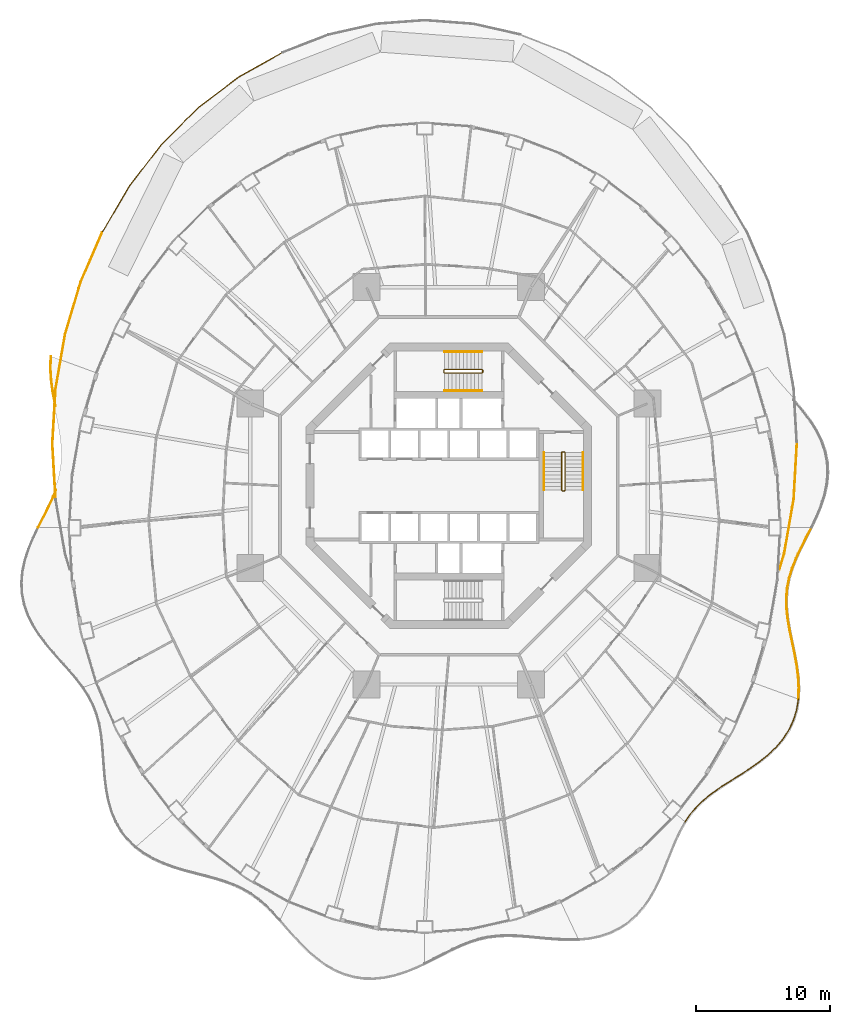
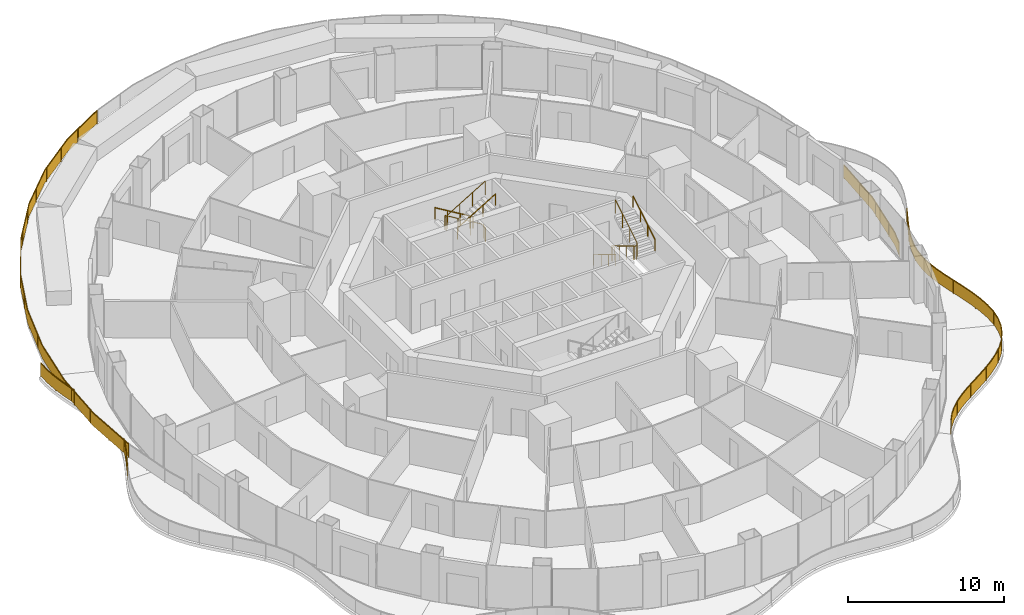
# One storey, part 19 of 20: 13 railings.
"""IFC4 building model written with IfcOpenShell, lengths in metres."""

from ifc_helpers import new_model, si_unit, direction, frame, origin, origin_2d, place, context, subcontext, project, spatial, polyline, rectangle, circle, outline, extrude, material, type_object, element, save


model = new_model("IFC4")

# Units and contexts
model_context = context("Model", 3, precision=1e-05, world=origin(), true_north=direction((0.0, 1.0)))
body_context = subcontext(model_context, "Body", "Model", "MODEL_VIEW")
ifc_project = project(units=[si_unit("LENGTHUNIT", "METRE"), si_unit("AREAUNIT", "SQUARE_METRE"), si_unit("VOLUMEUNIT", "CUBIC_METRE"), si_unit("PLANEANGLEUNIT", "RADIAN"), si_unit("MASSUNIT", "GRAM", prefix="KILO")], contexts=[model_context])

# Site, building, storey
site_placement = place(None, origin())
site = spatial("IfcSite", under=ifc_project, at=site_placement, CompositionType="ELEMENT")
building_placement = place(site_placement, origin())
building = spatial("IfcBuilding", under=site, at=building_placement, Name="Nagisa Residences", CompositionType="ELEMENT")
storey_placement = place(building_placement, frame((0.0, 0.0, 119.60009765625)))
storey = spatial("IfcBuildingStorey", under=building, at=storey_placement, Name="L29", CompositionType="ELEMENT", Elevation=119.60009765625)

# Railings
ifc_material_1 = material(Name="Stainless steel 316", Category="steel")
railing_type_1 = type_object("IfcRailingType", Name="BALCONY GUARD 1100", PredefinedType="BALUSTRADE", material=ifc_material_1)
railing_1_placement = place(storey_placement, frame((-29.604736328125, 9.634765625, 0.0)))
element("IfcRailing", 1, at=railing_1_placement, inside=storey, type_object=railing_type_1, Name="guard:L29:bal07-0", PredefinedType="BALUSTRADE", context=body_context, shape_type="SweptSolid", body=[
    extrude(outline(polyline([(-0.009765625, -0.84423828125), (0.02490234375, -0.0009765625), (-0.02490234375, 0.0009765625), (-0.06005859375, -0.8447265625), (-0.0107421875, -1.713623046875), (0.105712890625, -2.586669921875), (0.265625, -3.454345703125), (0.3154296875, -3.6904296875), (0.3642578125, -3.68017578125), (0.31494140625, -3.444580078125), (0.155029296875, -2.578857421875), (0.0390625, -1.708740234375), (-0.009765625, -0.84423828125)])), frame((0.0, 0.0, 1.050048828125)), (0.0, 0.0, 1.0), 0.050048828125),
    extrude(outline(polyline([(-0.02783203125, -0.844482421875), (0.007080078125, -0.000244140625), (-0.007080078125, 0.000244140625), (-0.0419921875, -0.844482421875), (0.007080078125, -1.7119140625), (0.12353515625, -2.583740234375), (0.283447265625, -3.450927734375), (0.3330078125, -3.686767578125), (0.3466796875, -3.683837890625), (0.297119140625, -3.447998046875), (0.13720703125, -2.581787109375), (0.021240234375, -1.71044921875), (-0.02783203125, -0.844482421875)])), frame((0.0, 0.0, 0.06005859375)), (0.0, 0.0, 1.0), 0.989990234375),
    extrude(rectangle(XDim=0.0400390625, YDim=0.0400390625, at=origin_2d()), origin(), (0.0, 0.0, 1.0), 1.050048828125),
    extrude(rectangle(XDim=0.0400390625, YDim=0.0400390625, at=origin_2d()), frame((0.033203125, -1.85400390625, 0.0)), (0.0, 0.0, 1.0), 1.050048828125),
    extrude(rectangle(XDim=0.0400390625, YDim=0.0400390625, at=origin_2d()), frame((0.33984375, -3.685302734375, 0.0)), (0.0, 0.0, 1.0), 1.050048828125),
])
railing_2_placement = place(storey_placement, frame((-29.228515625, -0.305419921875, 0.0)))
element("IfcRailing", 2, at=railing_2_placement, inside=storey, type_object=railing_type_1, Name="guard:L29:bal07-1", PredefinedType="BALUSTRADE", context=body_context, shape_type="SweptSolid", body=[
    extrude(outline(polyline([(-0.1865234375, -0.53662109375), (0.023193359375, -0.00927734375), (-0.023193359375, 0.00927734375), (-0.232421875, -0.5166015625), (-0.58203125, -1.26611328125), (-0.965576171875, -2.029052734375), (-1.358642578125, -2.80078125), (-1.314208984375, -2.82373046875), (-0.921142578125, -2.051513671875), (-0.537109375, -1.2880859375), (-0.1865234375, -0.53662109375)])), frame((0.0, 0.0, 1.050048828125)), (0.0, 0.0, 1.0), 0.050048828125),
    extrude(outline(polyline([(-0.203125, -0.529296875), (0.006591796875, -0.002685546875), (-0.006591796875, 0.002685546875), (-0.2158203125, -0.52392578125), (-0.56591796875, -1.27392578125), (-0.94970703125, -2.037109375), (-1.3427734375, -2.80908203125), (-1.330078125, -2.8154296875), (-0.93701171875, -2.04345703125), (-0.55322265625, -1.2802734375), (-0.203125, -0.529296875)])), frame((0.0, 0.0, 0.06005859375)), (0.0, 0.0, 1.0), 0.989990234375),
    extrude(rectangle(XDim=0.0400390625, YDim=0.0400390625, at=origin_2d()), origin(), (0.0, 0.0, 1.0), 1.050048828125),
    extrude(rectangle(XDim=0.0400390625, YDim=0.0400390625, at=origin_2d()), frame((-0.6328125, -1.422607421875, 0.0)), (0.0, 0.0, 1.0), 1.050048828125),
    extrude(rectangle(XDim=0.0400390625, YDim=0.0400390625, at=origin_2d()), frame((-1.33642578125, -2.812255859375, 0.0)), (0.0, 0.0, 1.0), 1.050048828125),
])
railing_3_placement = place(storey_placement, frame((17.5693359375, -25.00146484375, 0.0)))
element("IfcRailing", 3, at=railing_3_placement, inside=storey, type_object=railing_type_1, Name="guard:L29:bal14-0", PredefinedType="BALUSTRADE", context=body_context, shape_type="SweptSolid", body=[
    extrude(outline(polyline([(0.398681640625, 0.615966796875), (-0.0205078125, 0.014404296875), (0.0205078125, -0.014404296875), (0.438232421875, 0.585205078125), (0.917236328125, 1.14013671875), (1.45654296875, 1.6513671875), (2.0546875, 2.127685546875), (2.704833984375, 2.581298828125), (3.38623046875, 3.0126953125), (4.10009765625, 3.461181640625), (4.818603515625, 3.9267578125), (5.521240234375, 4.421875), (6.185546875, 4.956298828125), (6.785888671875, 5.52392578125), (7.316162109375, 6.154296875), (7.755859375, 6.834716796875), (8.095458984375, 7.5625), (8.33056640625, 8.332275390625), (8.4599609375, 9.12744140625), (8.41064453125, 9.13525390625), (8.28173828125, 8.343505859375), (8.048583984375, 7.58056640625), (7.7119140625, 6.859130859375), (7.275634765625, 6.18408203125), (6.749267578125, 5.55810546875), (6.15283203125, 4.993896484375), (5.490966796875, 4.4619140625), (4.790771484375, 3.96826171875), (4.0732421875, 3.503173828125), (3.359375, 3.05517578125), (2.677001953125, 2.622802734375), (2.02490234375, 2.167724609375), (1.423828125, 1.68896484375), (0.881103515625, 1.1748046875), (0.398681640625, 0.615966796875)])), frame((0.0, 0.0, 1.050048828125)), (0.0, 0.0, 1.0), 0.050048828125),
    extrude(outline(polyline([(0.412841796875, 0.60498046875), (-0.005859375, 0.00390625), (0.005859375, -0.00390625), (0.424072265625, 0.59619140625), (0.904296875, 1.152587890625), (1.44482421875, 1.664794921875), (2.0439453125, 2.14208984375), (2.69482421875, 2.59619140625), (3.37646484375, 3.028076171875), (4.09033203125, 3.476318359375), (4.80859375, 3.941650390625), (5.51025390625, 4.436279296875), (6.173828125, 4.9697265625), (6.772705078125, 5.5361328125), (7.301513671875, 6.1650390625), (7.739990234375, 6.843505859375), (8.07861328125, 7.569091796875), (8.31298828125, 8.336181640625), (8.442138671875, 9.130126953125), (8.428466796875, 9.132568359375), (8.29931640625, 8.339599609375), (8.0654296875, 7.573974609375), (7.727783203125, 6.850341796875), (7.290283203125, 6.17333984375), (6.762451171875, 5.5458984375), (6.16455078125, 4.98046875), (5.501953125, 4.447509765625), (4.80078125, 3.953369140625), (4.0830078125, 3.488037109375), (3.369140625, 3.039794921875), (2.68701171875, 2.60791015625), (2.03564453125, 2.1533203125), (1.435546875, 1.675537109375), (0.89404296875, 1.162353515625), (0.412841796875, 0.60498046875)])), frame((0.0, 0.0, 0.06005859375)), (0.0, 0.0, 1.0), 0.989990234375),
    extrude(rectangle(XDim=0.0400390625, YDim=0.0400390625, at=origin_2d()), origin(), (0.0, 0.0, 1.0), 1.050048828125),
    extrude(rectangle(XDim=0.0400390625, YDim=0.0400390625, at=origin_2d()), frame((1.3876953125, 1.620361328125, 0.0)), (0.0, 0.0, 1.0), 1.050048828125),
    extrude(rectangle(XDim=0.0400390625, YDim=0.0400390625, at=origin_2d()), frame((3.1201171875, 2.873779296875, 0.0)), (0.0, 0.0, 1.0), 1.050048828125),
    extrude(rectangle(XDim=0.0400390625, YDim=0.0400390625, at=origin_2d()), frame((4.921630859375, 4.02978515625, 0.0)), (0.0, 0.0, 1.0), 1.050048828125),
    extrude(rectangle(XDim=0.0400390625, YDim=0.0400390625, at=origin_2d()), frame((6.586669921875, 5.3701171875, 0.0)), (0.0, 0.0, 1.0), 1.050048828125),
    extrude(rectangle(XDim=0.0400390625, YDim=0.0400390625, at=origin_2d()), frame((7.845458984375, 7.086181640625, 0.0)), (0.0, 0.0, 1.0), 1.050048828125),
    extrude(rectangle(XDim=0.0400390625, YDim=0.0400390625, at=origin_2d()), frame((8.435302734375, 9.13134765625, 0.0)), (0.0, 0.0, 1.0), 1.050048828125),
])
railing_4_placement = place(storey_placement, frame((26.004638671875, -15.8701171875, 0.0)))
element("IfcRailing", 4, at=railing_4_placement, inside=storey, type_object=railing_type_1, Name="guard:L29:bal15-0", PredefinedType="BALUSTRADE", context=body_context, shape_type="SweptSolid", body=[
    extrude(outline(polyline([(0.010009765625, 0.84423828125), (-0.02490234375, 0.0009765625), (0.02490234375, -0.0009765625), (0.060302734375, 0.8447265625), (0.0107421875, 1.713623046875), (-0.105712890625, 2.586669921875), (-0.265625, 3.454345703125), (-0.444580078125, 4.308349609375), (-0.618896484375, 5.12939453125), (-0.7587890625, 5.941650390625), (-0.846435546875, 6.73095703125), (-0.86474609375, 7.49951171875), (-0.80419921875, 8.251220703125), (-0.662109375, 8.978759765625), (-0.438232421875, 9.716552734375), (-0.1435546875, 10.456787109375), (0.205810546875, 11.2060546875), (0.589599609375, 11.96923828125), (0.982666015625, 12.740966796875), (0.938232421875, 12.763916015625), (0.545166015625, 11.99169921875), (0.160888671875, 11.22802734375), (-0.189453125, 10.476806640625), (-0.485595703125, 9.733154296875), (-0.7109375, 8.990966796875), (-0.85400390625, 8.258056640625), (-0.9150390625, 7.5009765625), (-0.896240234375, 6.7275390625), (-0.80859375, 5.934814453125), (-0.668212890625, 5.1201171875), (-0.493408203125, 4.298095703125), (-0.31494140625, 3.444580078125), (-0.155029296875, 2.578857421875), (-0.0390625, 1.708740234375), (0.010009765625, 0.84423828125)])), frame((0.0, 0.0, 1.050048828125)), (0.0, 0.0, 1.0), 0.050048828125),
    extrude(outline(polyline([(0.028076171875, 0.844482421875), (-0.007080078125, 0.000244140625), (0.007080078125, -0.000244140625), (0.042236328125, 0.844482421875), (-0.007080078125, 1.7119140625), (-0.12353515625, 2.583740234375), (-0.283447265625, 3.450927734375), (-0.462158203125, 4.3046875), (-0.63671875, 5.1259765625), (-0.77685546875, 5.939208984375), (-0.8642578125, 6.729736328125), (-0.8828125, 7.5), (-0.822265625, 8.253662109375), (-0.6796875, 8.983154296875), (-0.455322265625, 9.72265625), (-0.16015625, 10.464111328125), (0.189697265625, 11.2138671875), (0.57373046875, 11.977294921875), (0.966796875, 12.749267578125), (0.9541015625, 12.755615234375), (0.56103515625, 11.983642578125), (0.177001953125, 11.22021484375), (-0.1728515625, 10.469482421875), (-0.468505859375, 9.72705078125), (-0.693359375, 8.986572265625), (-0.8359375, 8.255615234375), (-0.89697265625, 7.50048828125), (-0.87841796875, 6.728759765625), (-0.79052734375, 5.937255859375), (-0.650390625, 5.12353515625), (-0.475830078125, 4.3017578125), (-0.297119140625, 3.447998046875), (-0.13720703125, 2.581787109375), (-0.021240234375, 1.71044921875), (0.028076171875, 0.844482421875)])), frame((0.0, 0.0, 0.06005859375)), (0.0, 0.0, 1.0), 0.989990234375),
    extrude(rectangle(XDim=0.0400390625, YDim=0.0400390625, at=origin_2d()), origin(), (0.0, 0.0, 1.0), 1.050048828125),
    extrude(rectangle(XDim=0.0400390625, YDim=0.0400390625, at=origin_2d()), frame((-0.078369140625, 2.193603515625, 0.0)), (0.0, 0.0, 1.0), 1.050048828125),
    extrude(rectangle(XDim=0.0400390625, YDim=0.0400390625, at=origin_2d()), frame((-0.480224609375, 4.35595703125, 0.0)), (0.0, 0.0, 1.0), 1.050048828125),
    extrude(rectangle(XDim=0.0400390625, YDim=0.0400390625, at=origin_2d()), frame((-0.848388671875, 6.523193359375, 0.0)), (0.0, 0.0, 1.0), 1.050048828125),
    extrude(rectangle(XDim=0.0400390625, YDim=0.0400390625, at=origin_2d()), frame((-0.739990234375, 8.710693359375, 0.0)), (0.0, 0.0, 1.0), 1.050048828125),
    extrude(rectangle(XDim=0.0400390625, YDim=0.0400390625, at=origin_2d()), frame((-0.01904296875, 10.78271484375, 0.0)), (0.0, 0.0, 1.0), 1.050048828125),
    extrude(rectangle(XDim=0.0400390625, YDim=0.0400390625, at=origin_2d()), frame((0.96044921875, 12.75244140625, 0.0)), (0.0, 0.0, 1.0), 1.050048828125),
])
ifc_material_2 = material(Name="Stainless steel 316", Category="steel")
railing_type_2 = type_object("IfcRailingType", Name="ROOF GUARD 1100", PredefinedType="GUARDRAIL", material=ifc_material_2)
railing_5_placement = place(storey_placement, frame((-12.433349609375, 32.214111328125, 0.0)))
element("IfcRailing", 5, at=railing_5_placement, inside=storey, type_object=railing_type_2, Name="guard:L29:garden03", PredefinedType="GUARDRAIL", context=body_context, shape_type="SweptSolid", body=[
    extrude(outline(polyline([(-3.200439453125, -1.82470703125), (0.01220703125, -0.021728515625), (-0.01220703125, 0.021728515625), (-3.227783203125, -1.78271484375), (-6.242919921875, -4.0751953125), (-8.96875, -6.79541015625), (-11.359375, -9.8974609375), (-13.3525390625, -13.291748046875), (-13.3095703125, -13.317138671875), (-11.31787109375, -9.92529296875), (-8.93115234375, -6.82861328125), (-6.209716796875, -4.11279296875), (-3.200439453125, -1.82470703125)])), frame((0.0, 0.0, 1.050048828125)), (0.0, 0.0, 1.0), 0.050048828125),
    extrude(outline(polyline([(-3.210205078125, -1.8095703125), (0.00341796875, -0.006103515625), (-0.00341796875, 0.006103515625), (-3.218017578125, -1.7978515625), (-6.23095703125, -4.088623046875), (-8.955322265625, -6.807373046875), (-11.344482421875, -9.907470703125), (-13.337158203125, -13.30078125), (-13.324951171875, -13.30810546875), (-11.332763671875, -9.915283203125), (-8.944580078125, -6.816650390625), (-6.2216796875, -4.099365234375), (-3.210205078125, -1.8095703125)])), frame((0.0, 0.0, 0.06005859375)), (0.0, 0.0, 1.0), 0.989990234375),
    extrude(rectangle(XDim=0.0400390625, YDim=0.0400390625, at=origin_2d()), origin(), (0.0, 0.0, 1.0), 1.050048828125),
    extrude(rectangle(XDim=0.0400390625, YDim=0.0400390625, at=origin_2d()), frame((-2.089111328125, -1.17236328125, 0.0)), (0.0, 0.0, 1.0), 1.050048828125),
    extrude(rectangle(XDim=0.0400390625, YDim=0.0400390625, at=origin_2d()), frame((-4.09423828125, -2.472900390625, 0.0)), (0.0, 0.0, 1.0), 1.050048828125),
    extrude(rectangle(XDim=0.0400390625, YDim=0.0400390625, at=origin_2d()), frame((-6.001220703125, -3.9228515625, 0.0)), (0.0, 0.0, 1.0), 1.050048828125),
    extrude(rectangle(XDim=0.0400390625, YDim=0.0400390625, at=origin_2d()), frame((-7.721923828125, -5.586669921875, 0.0)), (0.0, 0.0, 1.0), 1.050048828125),
    extrude(rectangle(XDim=0.0400390625, YDim=0.0400390625, at=origin_2d()), frame((-9.353271484375, -7.33544921875, 0.0)), (0.0, 0.0, 1.0), 1.050048828125),
    extrude(rectangle(XDim=0.0400390625, YDim=0.0400390625, at=origin_2d()), frame((-10.815673828125, -9.23291015625, 0.0)), (0.0, 0.0, 1.0), 1.050048828125),
    extrude(rectangle(XDim=0.0400390625, YDim=0.0400390625, at=origin_2d()), frame((-12.117919921875, -11.238525390625, 0.0)), (0.0, 0.0, 1.0), 1.050048828125),
    extrude(rectangle(XDim=0.0400390625, YDim=0.0400390625, at=origin_2d()), frame((-13.3310546875, -13.304443359375, 0.0)), (0.0, 0.0, 1.0), 1.050048828125),
])
railing_6_placement = place(storey_placement, frame((-25.800537109375, 18.83837890625, 0.0)))
element("IfcRailing", 6, at=railing_6_placement, inside=storey, type_object=railing_type_2, Name="guard:L29:garden04", PredefinedType="GUARDRAIL", context=body_context, shape_type="SweptSolid", body=[
    extrude(outline(polyline([(-1.56298828125, -3.6689453125), (0.02294921875, -0.010009765625), (-0.02294921875, 0.010009765625), (-1.60986328125, -3.65185546875), (-2.775146484375, -7.55810546875), (-3.482421875, -11.604248046875), (-3.7197265625, -15.720703125), (-3.484619140625, -19.795654296875), (-3.434814453125, -19.792724609375), (-3.66943359375, -15.720703125), (-3.4326171875, -11.610107421875), (-2.726318359375, -7.56982421875), (-1.56298828125, -3.6689453125)])), frame((0.0, 0.0, 1.050048828125)), (0.0, 0.0, 1.0), 0.050048828125),
    extrude(outline(polyline([(-1.579833984375, -3.662841796875), (0.00634765625, -0.002685546875), (-0.00634765625, 0.002685546875), (-1.593017578125, -3.657958984375), (-2.757568359375, -7.562255859375), (-3.464599609375, -11.6064453125), (-3.70166015625, -15.720703125), (-3.466796875, -19.794677734375), (-3.45263671875, -19.793701171875), (-3.6875, -15.720703125), (-3.450439453125, -11.60791015625), (-2.743896484375, -7.565673828125), (-1.579833984375, -3.662841796875)])), frame((0.0, 0.0, 0.06005859375)), (0.0, 0.0, 1.0), 0.989990234375),
    extrude(rectangle(XDim=0.0400390625, YDim=0.0400390625, at=origin_2d()), origin(), (0.0, 0.0, 1.0), 1.050048828125),
    extrude(rectangle(XDim=0.0400390625, YDim=0.0400390625, at=origin_2d()), frame((-0.89990234375, -2.076416015625, 0.0)), (0.0, 0.0, 1.0), 1.050048828125),
    extrude(rectangle(XDim=0.0400390625, YDim=0.0400390625, at=origin_2d()), frame((-1.73974609375, -4.1748046875, 0.0)), (0.0, 0.0, 1.0), 1.050048828125),
    extrude(rectangle(XDim=0.0400390625, YDim=0.0400390625, at=origin_2d()), frame((-2.38671875, -6.343505859375, 0.0)), (0.0, 0.0, 1.0), 1.050048828125),
    extrude(rectangle(XDim=0.0400390625, YDim=0.0400390625, at=origin_2d()), frame((-2.921142578125, -8.538818359375, 0.0)), (0.0, 0.0, 1.0), 1.050048828125),
    extrude(rectangle(XDim=0.0400390625, YDim=0.0400390625, at=origin_2d()), frame((-3.310791015625, -10.76806640625, 0.0)), (0.0, 0.0, 1.0), 1.050048828125),
    extrude(rectangle(XDim=0.0400390625, YDim=0.0400390625, at=origin_2d()), frame((-3.538818359375, -13.01611328125, 0.0)), (0.0, 0.0, 1.0), 1.050048828125),
    extrude(rectangle(XDim=0.0400390625, YDim=0.0400390625, at=origin_2d()), frame((-3.6689453125, -15.275390625, 0.0)), (0.0, 0.0, 1.0), 1.050048828125),
    extrude(rectangle(XDim=0.0400390625, YDim=0.0400390625, at=origin_2d()), frame((-3.590087890625, -17.534912109375, 0.0)), (0.0, 0.0, 1.0), 1.050048828125),
    extrude(rectangle(XDim=0.0400390625, YDim=0.0400390625, at=origin_2d()), frame((-3.459716796875, -19.794189453125, 0.0)), (0.0, 0.0, 1.0), 1.050048828125),
])
railing_7_placement = place(storey_placement, frame((24.5947265625, -6.234130859375, 0.0)))
element("IfcRailing", 7, at=railing_7_placement, inside=storey, type_object=railing_type_2, Name="guard:L29:garden06", PredefinedType="GUARDRAIL", context=body_context, shape_type="SweptSolid", body=[
    extrude(outline(polyline([(0.332275390625, 1.200927734375), (-0.02392578125, 0.007080078125), (0.02392578125, -0.007080078125), (0.381103515625, 1.189208984375), (1.088134765625, 5.2353515625), (1.32275390625, 9.310302734375), (1.27294921875, 9.313232421875), (1.038330078125, 5.2412109375), (0.332275390625, 1.200927734375)])), frame((0.0, 0.0, 1.050048828125)), (0.0, 0.0, 1.0), 0.050048828125),
    extrude(outline(polyline([(0.349853515625, 1.19677734375), (-0.006591796875, 0.001953125), (0.006591796875, -0.001953125), (0.363525390625, 1.193359375), (1.0703125, 5.237548828125), (1.304931640625, 9.311279296875), (1.290771484375, 9.312255859375), (1.05615234375, 5.239013671875), (0.349853515625, 1.19677734375)])), frame((0.0, 0.0, 0.06005859375)), (0.0, 0.0, 1.0), 0.989990234375),
    extrude(rectangle(XDim=0.0400390625, YDim=0.0400390625, at=origin_2d()), origin(), (0.0, 0.0, 1.0), 1.050048828125),
    extrude(rectangle(XDim=0.0400390625, YDim=0.0400390625, at=origin_2d()), frame((0.5478515625, 2.289306640625, 0.0)), (0.0, 0.0, 1.0), 1.050048828125),
    extrude(rectangle(XDim=0.0400390625, YDim=0.0400390625, at=origin_2d()), frame((0.953857421875, 4.612060546875, 0.0)), (0.0, 0.0, 1.0), 1.050048828125),
    extrude(rectangle(XDim=0.0400390625, YDim=0.0400390625, at=origin_2d()), frame((1.162353515625, 6.957763671875, 0.0)), (0.0, 0.0, 1.0), 1.050048828125),
    extrude(rectangle(XDim=0.0400390625, YDim=0.0400390625, at=origin_2d()), frame((1.2978515625, 9.311767578125, 0.0)), (0.0, 0.0, 1.0), 1.050048828125),
])
ifc_material_3 = material(Name="Stainless steel", Category="steel")
railing_type_3 = type_object("IfcRailingType", Name="Stair guard 1100", PredefinedType="GUARDRAIL", material=ifc_material_3)
railing_8_placement = place(storey_placement, frame((8.599609375, 2.52490234375, 0.0)))
element("IfcRailing", 8, at=railing_8_placement, inside=storey, type_object=railing_type_3, Name="L29 ST-E stair guard 1", PredefinedType="GUARDRAIL", context=body_context, shape_type="SweptSolid", body=[
    extrude(circle(Radius=0.02392578125, at=origin_2d()), frame((0.0, 0.0, 1.076171875), z_axis=(-1.0, 0.0, 0.0), x_axis=(0.0, -1.0, 0.0)), (0.0, 0.0, 1.0), 0.14990234375),
    extrude(circle(Radius=0.02392578125, at=origin_2d()), frame((-0.14990234375, 0.0, 1.076171875), z_axis=(-0.274683208305, -0.273343290215, 0.921863645432), x_axis=(0.705375805398, -0.708833529934, 0.0)), (0.0, 0.0, 1.0), 0.18212890625),
    extrude(circle(Radius=0.02392578125, at=origin_2d()), frame((-0.199951171875, -0.0498046875, 1.244140625), z_axis=(0.0, -0.857242210791, 0.514913383045), x_axis=(1.0, 0.0, 0.0)), (0.0, 0.0, 1.0), 3.266357421875),
    extrude(circle(Radius=0.02392578125, at=origin_2d()), frame((-0.199951171875, -2.849853515625, 2.92578125), z_axis=(0.707106781187, -0.707106781187, 0.0), x_axis=(0.707106781187, 0.707106781187, 0.0)), (0.0, 0.0, 1.0), 0.07080078125),
    extrude(circle(Radius=0.02392578125, at=origin_2d()), frame((-0.14990234375, -2.89990234375, 2.92578125), z_axis=(1.0, 0.0, 0.0), x_axis=(0.0, 1.0, 0.0)), (0.0, 0.0, 1.0), 0.14990234375),
    extrude(circle(Radius=0.02392578125, at=origin_2d()), frame((0.0, -2.89990234375, 2.92578125), z_axis=(0.274243871929, 0.274243871929, 0.92172696468), x_axis=(-0.707106781187, 0.707106781187, 0.0)), (0.0, 0.0, 1.0), 0.1826171875),
    extrude(circle(Radius=0.02392578125, at=origin_2d()), frame((0.050048828125, -2.849853515625, 3.09423828125), z_axis=(0.0, 0.857242210791, 0.514913383045), x_axis=(-1.0, 0.0, 0.0)), (0.0, 0.0, 1.0), 3.266357421875),
    extrude(circle(Radius=0.02099609375, at=origin_2d()), origin(), (0.0, 0.0, 1.0), 1.052001953125),
    extrude(circle(Radius=0.02099609375, at=origin_2d()), frame((-0.14990234375, 0.0, 0.0)), (0.0, 0.0, 1.0), 1.052001953125),
    extrude(circle(Radius=0.02099609375, at=origin_2d()), frame((-0.199951171875, -0.0498046875, 0.16796875)), (0.0, 0.0, 1.0), 1.052001953125),
    extrude(circle(Radius=0.02099609375, at=origin_2d()), frame((-0.199951171875, -0.983154296875, 0.728515625)), (0.0, 0.0, 1.0), 1.052001953125),
    extrude(circle(Radius=0.02099609375, at=origin_2d()), frame((-0.199951171875, -1.91650390625, 1.289306640625)), (0.0, 0.0, 1.0), 1.052001953125),
    extrude(circle(Radius=0.02099609375, at=origin_2d()), frame((-0.199951171875, -2.849853515625, 1.849853515625)), (0.0, 0.0, 1.0), 1.052001953125),
    extrude(circle(Radius=0.02099609375, at=origin_2d()), frame((-0.14990234375, -2.89990234375, 1.849853515625)), (0.0, 0.0, 1.0), 1.052001953125),
    extrude(circle(Radius=0.02099609375, at=origin_2d()), frame((0.0, -2.89990234375, 1.849853515625)), (0.0, 0.0, 1.0), 1.052001953125),
    extrude(circle(Radius=0.02099609375, at=origin_2d()), frame((0.050048828125, -2.849853515625, 2.01806640625)), (0.0, 0.0, 1.0), 1.052001953125),
    extrude(circle(Radius=0.02099609375, at=origin_2d()), frame((0.050048828125, -1.91650390625, 2.57861328125)), (0.0, 0.0, 1.0), 1.052001953125),
    extrude(circle(Radius=0.02099609375, at=origin_2d()), frame((0.050048828125, -0.983154296875, 3.139404296875)), (0.0, 0.0, 1.0), 1.052001953125),
    extrude(circle(Radius=0.02099609375, at=origin_2d()), frame((0.050048828125, -0.0498046875, 3.699951171875)), (0.0, 0.0, 1.0), 1.052001953125),
])
railing_9_placement = place(storey_placement, frame((2.52490234375, 8.44970703125, 0.0)))
element("IfcRailing", 9, at=railing_9_placement, inside=storey, type_object=railing_type_3, Name="L29 ST-N stair guard 1", PredefinedType="GUARDRAIL", context=body_context, shape_type="SweptSolid", body=[
    extrude(circle(Radius=0.02392578125, at=origin_2d()), frame((0.0, 0.0, 1.076171875), z_axis=(0.0, 1.0, 0.0), x_axis=(-1.0, 0.0, 0.0)), (0.0, 0.0, 1.0), 0.14990234375),
    extrude(circle(Radius=0.02392578125, at=origin_2d()), frame((0.0, 0.14990234375, 1.076171875), z_axis=(-0.273343290215, 0.274683208305, 0.921863645432), x_axis=(-0.708833529934, -0.705375805398, 0.0)), (0.0, 0.0, 1.0), 0.18212890625),
    extrude(circle(Radius=0.02392578125, at=origin_2d()), frame((-0.0498046875, 0.199951171875, 1.244140625), z_axis=(-0.857242210791, 0.0, 0.514913383045), x_axis=(0.0, -1.0, 0.0)), (0.0, 0.0, 1.0), 3.266357421875),
    extrude(circle(Radius=0.02392578125, at=origin_2d()), frame((-2.849853515625, 0.199951171875, 2.92578125), z_axis=(-0.707106781187, -0.707106781187, 0.0), x_axis=(0.707106781187, -0.707106781187, 0.0)), (0.0, 0.0, 1.0), 0.07080078125),
    extrude(circle(Radius=0.02392578125, at=origin_2d()), frame((-2.89990234375, 0.14990234375, 2.92578125), z_axis=(0.0, -1.0, 0.0), x_axis=(1.0, 0.0, 0.0)), (0.0, 0.0, 1.0), 0.14990234375),
    extrude(circle(Radius=0.02392578125, at=origin_2d()), frame((-2.89990234375, 0.0, 2.92578125), z_axis=(0.274243871929, -0.274243871929, 0.92172696468), x_axis=(0.707106781187, 0.707106781187, 0.0)), (0.0, 0.0, 1.0), 0.1826171875),
    extrude(circle(Radius=0.02392578125, at=origin_2d()), frame((-2.849853515625, -0.050048828125, 3.09423828125), z_axis=(0.857242210791, 0.0, 0.514913383045), x_axis=(0.0, 1.0, 0.0)), (0.0, 0.0, 1.0), 3.266357421875),
    extrude(circle(Radius=0.02099609375, at=origin_2d()), origin(), (0.0, 0.0, 1.0), 1.052001953125),
    extrude(circle(Radius=0.02099609375, at=origin_2d()), frame((0.0, 0.14990234375, 0.0)), (0.0, 0.0, 1.0), 1.052001953125),
    extrude(circle(Radius=0.02099609375, at=origin_2d()), frame((-0.0498046875, 0.199951171875, 0.16796875)), (0.0, 0.0, 1.0), 1.052001953125),
    extrude(circle(Radius=0.02099609375, at=origin_2d()), frame((-0.983154296875, 0.199951171875, 0.728515625)), (0.0, 0.0, 1.0), 1.052001953125),
    extrude(circle(Radius=0.02099609375, at=origin_2d()), frame((-1.91650390625, 0.199951171875, 1.289306640625)), (0.0, 0.0, 1.0), 1.052001953125),
    extrude(circle(Radius=0.02099609375, at=origin_2d()), frame((-2.849853515625, 0.199951171875, 1.849853515625)), (0.0, 0.0, 1.0), 1.052001953125),
    extrude(circle(Radius=0.02099609375, at=origin_2d()), frame((-2.89990234375, 0.14990234375, 1.849853515625)), (0.0, 0.0, 1.0), 1.052001953125),
    extrude(circle(Radius=0.02099609375, at=origin_2d()), frame((-2.89990234375, 0.0, 1.849853515625)), (0.0, 0.0, 1.0), 1.052001953125),
    extrude(circle(Radius=0.02099609375, at=origin_2d()), frame((-2.849853515625, -0.050048828125, 2.01806640625)), (0.0, 0.0, 1.0), 1.052001953125),
    extrude(circle(Radius=0.02099609375, at=origin_2d()), frame((-1.91650390625, -0.050048828125, 2.57861328125)), (0.0, 0.0, 1.0), 1.052001953125),
    extrude(circle(Radius=0.02099609375, at=origin_2d()), frame((-0.983154296875, -0.050048828125, 3.139404296875)), (0.0, 0.0, 1.0), 1.052001953125),
    extrude(circle(Radius=0.02099609375, at=origin_2d()), frame((-0.0498046875, -0.050048828125, 3.699951171875)), (0.0, 0.0, 1.0), 1.052001953125),
])
ifc_material_4 = material(Name="Stainless steel", Category="steel")
railing_type_4 = type_object("IfcRailingType", Name="Stair handrail 900", PredefinedType="HANDRAIL", material=ifc_material_4)
railing_10_placement = place(storey_placement, frame((7.07470703125, 2.47509765625, 0.16796875)))
element("IfcRailing", 10, at=railing_10_placement, inside=storey, type_object=railing_type_4, Name="L29 ST-E stair handrail 1", PredefinedType="HANDRAIL", context=body_context, shape_type="SweptSolid", body=[
    extrude(circle(Radius=0.02392578125, at=origin_2d()), frame((0.0, 0.0, 0.8759765625), z_axis=(0.0, -0.857242210791, 0.514913383045), x_axis=(1.0, 0.0, 0.0)), (0.0, 0.0, 1.0), 3.266357421875),
    extrude(circle(Radius=0.02099609375, at=origin_2d()), origin(), (0.0, 0.0, 1.0), 0.851806640625),
    extrude(circle(Radius=0.02099609375, at=origin_2d()), frame((0.0, -0.933349609375, 0.560546875)), (0.0, 0.0, 1.0), 0.851806640625),
    extrude(circle(Radius=0.02099609375, at=origin_2d()), frame((0.0, -1.86669921875, 1.121337890625)), (0.0, 0.0, 1.0), 0.851806640625),
    extrude(circle(Radius=0.02099609375, at=origin_2d()), frame((0.0, -2.800048828125, 1.681884765625)), (0.0, 0.0, 1.0), 0.851806640625),
])
railing_11_placement = place(storey_placement, frame((9.974609375, -0.324951171875, 2.01806640625)))
element("IfcRailing", 11, at=railing_11_placement, inside=storey, type_object=railing_type_4, Name="L29 ST-E stair handrail 2", PredefinedType="HANDRAIL", context=body_context, shape_type="SweptSolid", body=[
    extrude(circle(Radius=0.02392578125, at=origin_2d()), frame((0.0, 0.0, 0.8759765625), z_axis=(0.0, 0.857242210791, 0.514913383045), x_axis=(-1.0, 0.0, 0.0)), (0.0, 0.0, 1.0), 3.266357421875),
    extrude(circle(Radius=0.02099609375, at=origin_2d()), origin(), (0.0, 0.0, 1.0), 0.851806640625),
    extrude(circle(Radius=0.02099609375, at=origin_2d()), frame((0.0, 0.933349609375, 0.560546875)), (0.0, 0.0, 1.0), 0.851806640625),
    extrude(circle(Radius=0.02099609375, at=origin_2d()), frame((0.0, 1.86669921875, 1.121337890625)), (0.0, 0.0, 1.0), 0.851806640625),
    extrude(circle(Radius=0.02099609375, at=origin_2d()), frame((0.0, 2.800048828125, 1.681884765625)), (0.0, 0.0, 1.0), 0.851806640625),
])
railing_12_placement = place(storey_placement, frame((2.47509765625, 9.974609375, 0.16796875)))
element("IfcRailing", 12, at=railing_12_placement, inside=storey, type_object=railing_type_4, Name="L29 ST-N stair handrail 1", PredefinedType="HANDRAIL", context=body_context, shape_type="SweptSolid", body=[
    extrude(circle(Radius=0.02392578125, at=origin_2d()), frame((0.0, 0.0, 0.8759765625), z_axis=(-0.857242210791, 0.0, 0.514913383045), x_axis=(0.0, -1.0, 0.0)), (0.0, 0.0, 1.0), 3.266357421875),
    extrude(circle(Radius=0.02099609375, at=origin_2d()), origin(), (0.0, 0.0, 1.0), 0.851806640625),
    extrude(circle(Radius=0.02099609375, at=origin_2d()), frame((-0.933349609375, 0.0, 0.560546875)), (0.0, 0.0, 1.0), 0.851806640625),
    extrude(circle(Radius=0.02099609375, at=origin_2d()), frame((-1.86669921875, 0.0, 1.121337890625)), (0.0, 0.0, 1.0), 0.851806640625),
    extrude(circle(Radius=0.02099609375, at=origin_2d()), frame((-2.800048828125, 0.0, 1.681884765625)), (0.0, 0.0, 1.0), 0.851806640625),
])
railing_13_placement = place(storey_placement, frame((-0.324951171875, 7.07470703125, 2.01806640625)))
element("IfcRailing", 13, at=railing_13_placement, inside=storey, type_object=railing_type_4, Name="L29 ST-N stair handrail 2", PredefinedType="HANDRAIL", context=body_context, shape_type="SweptSolid", body=[
    extrude(circle(Radius=0.02392578125, at=origin_2d()), frame((0.0, 0.0, 0.8759765625), z_axis=(0.857242210791, 0.0, 0.514913383045), x_axis=(0.0, 1.0, 0.0)), (0.0, 0.0, 1.0), 3.266357421875),
    extrude(circle(Radius=0.02099609375, at=origin_2d()), origin(), (0.0, 0.0, 1.0), 0.851806640625),
    extrude(circle(Radius=0.02099609375, at=origin_2d()), frame((0.933349609375, 0.0, 0.560546875)), (0.0, 0.0, 1.0), 0.851806640625),
    extrude(circle(Radius=0.02099609375, at=origin_2d()), frame((1.86669921875, 0.0, 1.121337890625)), (0.0, 0.0, 1.0), 0.851806640625),
    extrude(circle(Radius=0.02099609375, at=origin_2d()), frame((2.800048828125, 0.0, 1.681884765625)), (0.0, 0.0, 1.0), 0.851806640625),
])

save(model, "model.ifc")
